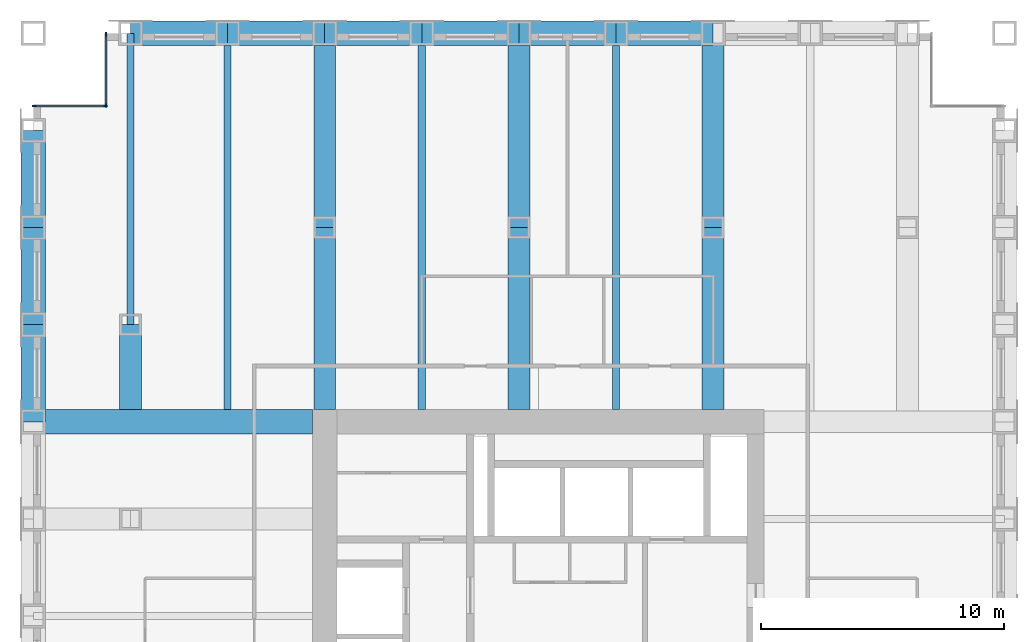
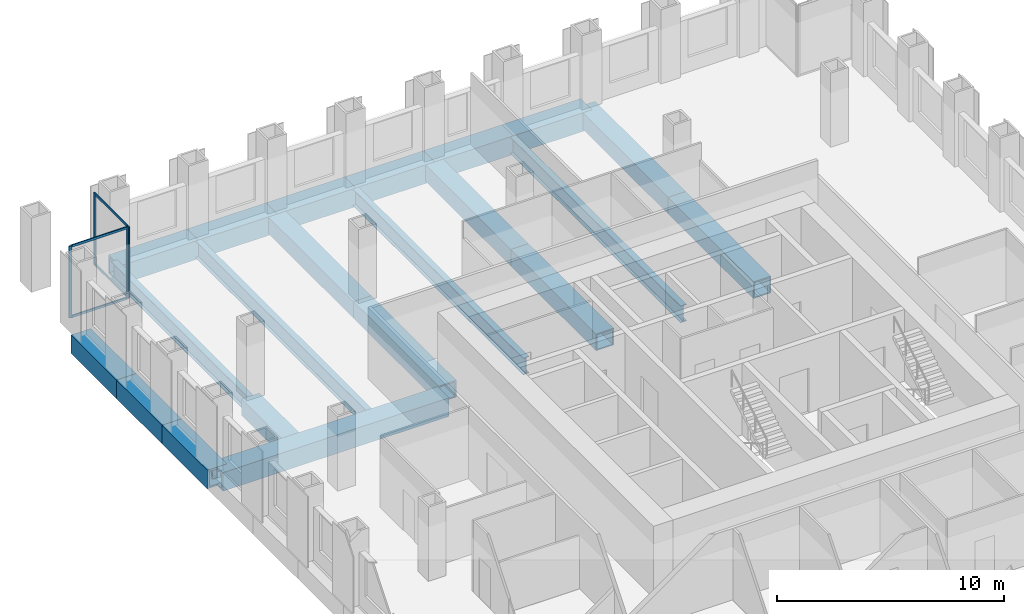
# One storey, part 5 of 12: 21 beams, 8 members, 2 elements without a shape of their own.
"""IFC4 building model written with IfcOpenShell, lengths in metres."""

from ifc_helpers import new_model, si_unit, direction, frame, origin, origin_2d, place, context, subcontext, project, spatial, rectangle, hollow_rectangle, i_section, extrude, material, material_profile, profile_set, type_object, element, aggregate, save


model = new_model("IFC4")

# Units and contexts
model_context = context("Model", 3, precision=1e-05, world=origin(), true_north=direction((0.0, 1.0)))
body_context = subcontext(model_context, "Body", "Model", "MODEL_VIEW")
ifc_project = project(units=[si_unit("LENGTHUNIT", "METRE"), si_unit("AREAUNIT", "SQUARE_METRE"), si_unit("VOLUMEUNIT", "CUBIC_METRE"), si_unit("PLANEANGLEUNIT", "RADIAN"), si_unit("MASSUNIT", "GRAM", prefix="KILO")], contexts=[model_context])

# Site, building, storey
site_placement = place(None, origin())
site = spatial("IfcSite", under=ifc_project, at=site_placement, CompositionType="ELEMENT")
building_placement = place(site_placement, origin())
building = spatial("IfcBuilding", under=site, at=building_placement, Name="Rimbunsela Tower", CompositionType="ELEMENT")
storey_placement = place(building_placement, frame((0.0, 0.0, 155.800048828125)))
storey = spatial("IfcBuildingStorey", under=building, at=storey_placement, Name="L37", CompositionType="ELEMENT", Elevation=155.800048828125)

# Beams
ifc_material_1 = material(Name="Steel BJ 55 (fy 410 MPa)", Category="steel")
ifc_material_profile_1 = material_profile(ifc_material_1, hollow_rectangle(XDim=1.0, YDim=1.0, WallThickness=0.10009765625, at=origin_2d()), Name="BOX 1000x1000x100")
ifc_profile_set_1 = profile_set([ifc_material_profile_1], Name="Steel BJ 55 (fy 410 MPa)")
beam_type_1 = type_object("IfcBeamType", Name="Beam BOX 1000x1000x100", PredefinedType="BEAM", material=ifc_profile_set_1)
beam_1_placement = place(storey_placement, frame((6.0, 36.0, -0.650146484375), z_axis=(0.0, 1.0, 0.0), x_axis=(-1.0, 0.0, 0.0)))
element("IfcBeam", 1, at=beam_1_placement, inside=storey, type_object=beam_type_1, Name="Beam B3 L37", PredefinedType="BEAM", context=body_context, shape_type="SweptSolid", body=[
    extrude(hollow_rectangle(XDim=1.0, YDim=1.0, WallThickness=0.10009765625, at=origin_2d()), origin(), (0.0, 0.0, 1.0), 4.0),
])
beam_2_placement = place(storey_placement, frame((6.0, 36.0, -0.650146484375), z_axis=(1.0, 0.0, 0.0), x_axis=(0.0, 1.0, 0.0)))
element("IfcBeam", 2, at=beam_2_placement, inside=storey, type_object=beam_type_1, Name="Beam B3 L37", PredefinedType="BEAM", context=body_context, shape_type="SweptSolid", body=[
    extrude(hollow_rectangle(XDim=1.0, YDim=1.0, WallThickness=0.10009765625, at=origin_2d()), origin(), (0.0, 0.0, 1.0), 11.5),
])
for number, where, z_axis, x_axis, name in (
    (3, (6.0, 40.0, -0.650146484375), (0.0, 1.0, 0.0), (-1.0, 0.0, 0.0), "Beam B3 L37"),
    (4, (6.0, 44.0, -0.650146484375), (0.0, 1.0, 0.0), (-1.0, 0.0, 0.0), "Beam B3 L37"),
    (5, (10.0, 52.0, -0.650146484375), (1.0, 0.0, 0.0), (0.0, 1.0, 0.0), "Beam B3 L37"),
    (6, (14.0, 52.0, -0.650146484375), (1.0, 0.0, 0.0), (0.0, 1.0, 0.0), "Beam B3 L37"),
    (7, (18.0, 52.0, -0.650146484375), (1.0, 0.0, 0.0), (0.0, 1.0, 0.0), "Beam B3 L37"),
    (8, (22.0, 52.0, -0.650146484375), (1.0, 0.0, 0.0), (0.0, 1.0, 0.0), "Beam B3 L37"),
    (9, (26.0, 52.0, -0.650146484375), (1.0, 0.0, 0.0), (0.0, 1.0, 0.0), "Beam B3 L37"),
    (10, (30.0, 52.0, -0.650146484375), (1.0, 0.0, 0.0), (0.0, 1.0, 0.0), "Beam B3 L37"),
):
    element("IfcBeam", number, at=place(storey_placement, frame(where, z_axis=z_axis, x_axis=x_axis)), inside=storey, type_object=beam_type_1, Name=name, PredefinedType="BEAM", context=body_context, shape_type="SweptSolid", body=[
        extrude(hollow_rectangle(XDim=1.0, YDim=1.0, WallThickness=0.10009765625, at=origin_2d()), origin(), (0.0, 0.0, 1.0), 4.0),
    ])
ifc_material_2 = material(Name="Steel BJ 55 (fy 410 MPa)", Category="steel")
ifc_material_profile_2 = material_profile(ifc_material_2, hollow_rectangle(XDim=0.89990234375, YDim=0.89990234375, WallThickness=0.06005859375, at=origin_2d()), Name="BOX 900x900x60")
ifc_profile_set_2 = profile_set([ifc_material_profile_2], Name="Steel BJ 55 (fy 410 MPa)")
beam_type_2 = type_object("IfcBeamType", Name="Beam BOX 900x900x60", PredefinedType="BEAM", material=ifc_profile_set_2)
beam_3_placement = place(storey_placement, frame((10.0, 36.5, -0.60009765625), z_axis=(0.0, 1.0, 0.0), x_axis=(-1.0, 0.0, 0.0)))
element("IfcBeam", 11, at=beam_3_placement, inside=storey, type_object=beam_type_2, Name="Beam B1 L37", PredefinedType="BEAM", context=body_context, shape_type="SweptSolid", body=[
    extrude(hollow_rectangle(XDim=0.89990234375, YDim=0.89990234375, WallThickness=0.06005859375, at=origin_2d()), origin(), (0.0, 0.0, 1.0), 3.5),
])
beam_4_placement = place(storey_placement, frame((18.0, 36.5, -0.60009765625), z_axis=(0.0, 1.0, 0.0), x_axis=(-1.0, 0.0, 0.0)))
element("IfcBeam", 12, at=beam_4_placement, inside=storey, type_object=beam_type_2, Name="Beam B1 L37", PredefinedType="BEAM", context=body_context, shape_type="SweptSolid", body=[
    extrude(hollow_rectangle(XDim=0.89990234375, YDim=0.89990234375, WallThickness=0.06005859375, at=origin_2d()), origin(), (0.0, 0.0, 1.0), 7.5),
])
beam_5_placement = place(storey_placement, frame((18.0, 44.0, -0.60009765625), z_axis=(0.0, 1.0, 0.0), x_axis=(-1.0, 0.0, 0.0)))
element("IfcBeam", 13, at=beam_5_placement, inside=storey, type_object=beam_type_2, Name="Beam B1 L37", PredefinedType="BEAM", context=body_context, shape_type="SweptSolid", body=[
    extrude(hollow_rectangle(XDim=0.89990234375, YDim=0.89990234375, WallThickness=0.06005859375, at=origin_2d()), origin(), (0.0, 0.0, 1.0), 8.0),
])
beam_6_placement = place(storey_placement, frame((26.0, 36.5, -0.60009765625), z_axis=(0.0, 1.0, 0.0), x_axis=(-1.0, 0.0, 0.0)))
element("IfcBeam", 14, at=beam_6_placement, inside=storey, type_object=beam_type_2, Name="Beam B1 L37", PredefinedType="BEAM", context=body_context, shape_type="SweptSolid", body=[
    extrude(hollow_rectangle(XDim=0.89990234375, YDim=0.89990234375, WallThickness=0.06005859375, at=origin_2d()), origin(), (0.0, 0.0, 1.0), 7.5),
])
beam_7_placement = place(storey_placement, frame((26.0, 44.0, -0.60009765625), z_axis=(0.0, 1.0, 0.0), x_axis=(-1.0, 0.0, 0.0)))
element("IfcBeam", 15, at=beam_7_placement, inside=storey, type_object=beam_type_2, Name="Beam B1 L37", PredefinedType="BEAM", context=body_context, shape_type="SweptSolid", body=[
    extrude(hollow_rectangle(XDim=0.89990234375, YDim=0.89990234375, WallThickness=0.06005859375, at=origin_2d()), origin(), (0.0, 0.0, 1.0), 8.0),
])
beam_8_placement = place(storey_placement, frame((34.0, 36.5, -0.60009765625), z_axis=(0.0, 1.0, 0.0), x_axis=(-1.0, 0.0, 0.0)))
element("IfcBeam", 16, at=beam_8_placement, inside=storey, type_object=beam_type_2, Name="Beam B1 L37", PredefinedType="BEAM", context=body_context, shape_type="SweptSolid", body=[
    extrude(hollow_rectangle(XDim=0.89990234375, YDim=0.89990234375, WallThickness=0.06005859375, at=origin_2d()), origin(), (0.0, 0.0, 1.0), 7.5),
])
beam_9_placement = place(storey_placement, frame((34.0, 44.0, -0.60009765625), z_axis=(0.0, 1.0, 0.0), x_axis=(-1.0, 0.0, 0.0)))
element("IfcBeam", 17, at=beam_9_placement, inside=storey, type_object=beam_type_2, Name="Beam B1 L37", PredefinedType="BEAM", context=body_context, shape_type="SweptSolid", body=[
    extrude(hollow_rectangle(XDim=0.89990234375, YDim=0.89990234375, WallThickness=0.06005859375, at=origin_2d()), origin(), (0.0, 0.0, 1.0), 8.0),
])
ifc_material_3 = material(Name="Steel BJ 55 (fy 410 MPa)", Category="steel")
ifc_material_profile_3 = material_profile(ifc_material_3, i_section(OverallWidth=0.300048828125, OverallDepth=0.89990234375, WebThickness=0.01611328125, FlangeThickness=0.028076171875, FilletRadius=0.028076171875, at=origin_2d()), Name="H 900x300x16x28")
ifc_profile_set_3 = profile_set([ifc_material_profile_3], Name="Steel BJ 55 (fy 410 MPa)")
beam_type_3 = type_object("IfcBeamType", Name="Beam H 900x300x16x28", PredefinedType="BEAM", material=ifc_profile_set_3)
beam_10_placement = place(storey_placement, frame((10.0, 40.0, -0.60009765625), z_axis=(0.0, 1.0, 0.0), x_axis=(-1.0, 0.0, 0.0)))
element("IfcBeam", 18, at=beam_10_placement, inside=storey, type_object=beam_type_3, Name="Beam B2 L37", PredefinedType="BEAM", context=body_context, shape_type="SweptSolid", body=[
    extrude(i_section(OverallWidth=0.300048828125, OverallDepth=0.89990234375, WebThickness=0.01611328125, FlangeThickness=0.028076171875, FilletRadius=0.028076171875, at=origin_2d()), origin(), (0.0, 0.0, 1.0), 12.0),
])
for number, where, z_axis, x_axis, name in (
    (19, (14.0, 36.5, -0.60009765625), (0.0, 1.0, 0.0), (-1.0, 0.0, 0.0), "Beam B2 L37"),
    (20, (22.0, 36.5, -0.60009765625), (0.0, 1.0, 0.0), (-1.0, 0.0, 0.0), "Beam B2 L37"),
    (21, (30.0, 36.5, -0.60009765625), (0.0, 1.0, 0.0), (-1.0, 0.0, 0.0), "Beam B2 L37"),
):
    element("IfcBeam", number, at=place(storey_placement, frame(where, z_axis=z_axis, x_axis=x_axis)), inside=storey, type_object=beam_type_3, Name=name, PredefinedType="BEAM", context=body_context, shape_type="SweptSolid", body=[
        extrude(i_section(OverallWidth=0.300048828125, OverallDepth=0.89990234375, WebThickness=0.01611328125, FlangeThickness=0.028076171875, FilletRadius=0.028076171875, at=origin_2d()), origin(), (0.0, 0.0, 1.0), 15.5),
    ])

# Curtain wall, members
ifc_material_4 = material(Name="Aluminium curtain wall", Category="aluminium")
curtain_wall_type = type_object("IfcCurtainWallType", Name="Corner glazing", PredefinedType="USERDEFINED", material=ifc_material_4)
curtain_wall_1_placement = place(storey_placement, origin())
curtain_wall_1 = element("IfcCurtainWall", 22, at=curtain_wall_1_placement, inside=storey, type_object=curtain_wall_type, Name="Corner glazing L37", ObjectType="CORNER GLAZING", PredefinedType="USERDEFINED")
ifc_material_5 = material(Name="Aluminium mullion", Category="aluminium")
ifc_material_profile_4 = material_profile(ifc_material_5, rectangle(XDim=0.06005859375, YDim=0.159912109375, at=origin_2d()), Name="Mullion 60x160")
ifc_profile_set_4 = profile_set([ifc_material_profile_4], Name="Aluminium mullion")
member_type_1 = type_object("IfcMemberType", Name="Curtain wall mullion 60x160", PredefinedType="MULLION", material=ifc_profile_set_4)
member_1_placement = place(storey_placement, frame((9.0, 51.969970703125, 0.0), z_axis=(0.0, 0.0, 1.0), x_axis=(1.0, 0.0, 0.0)))
member_1 = element("IfcMember", 23, at=member_1_placement, type_object=member_type_1, Name="CW5 mullion 1", PredefinedType="MULLION", context=body_context, shape_type="SweptSolid", body=[
    extrude(rectangle(XDim=0.06005859375, YDim=0.159912109375, at=origin_2d()), origin(), (0.0, 0.0, 1.0), 3.849853515625),
])
member_2_placement = place(storey_placement, frame((9.0, 49.030029296875, 0.0), z_axis=(0.0, 0.0, 1.0), x_axis=(1.0, 0.0, 0.0)))
member_2 = element("IfcMember", 24, at=member_2_placement, type_object=member_type_1, Name="CW5 mullion 2", PredefinedType="MULLION", context=body_context, shape_type="SweptSolid", body=[
    extrude(rectangle(XDim=0.06005859375, YDim=0.159912109375, at=origin_2d()), origin(), (0.0, 0.0, 1.0), 3.849853515625),
])

curtain_wall_2_placement = place(storey_placement, origin())
curtain_wall_2 = element("IfcCurtainWall", 25, at=curtain_wall_2_placement, inside=storey, type_object=curtain_wall_type, Name="Corner glazing L37", ObjectType="CORNER GLAZING", PredefinedType="USERDEFINED")
member_3_placement = place(storey_placement, frame((8.969970703125, 49.0, 0.0), z_axis=(0.0, 0.0, 1.0), x_axis=(0.0, -1.0, 0.0)))
member_3 = element("IfcMember", 26, at=member_3_placement, type_object=member_type_1, Name="CW5 mullion 1", PredefinedType="MULLION", context=body_context, shape_type="SweptSolid", body=[
    extrude(rectangle(XDim=0.06005859375, YDim=0.159912109375, at=origin_2d()), origin(), (0.0, 0.0, 1.0), 3.849853515625),
])
member_4_placement = place(storey_placement, frame((6.030029296875, 49.0, 0.0), z_axis=(0.0, 0.0, 1.0), x_axis=(0.0, -1.0, 0.0)))
member_4 = element("IfcMember", 27, at=member_4_placement, type_object=member_type_1, Name="CW5 mullion 2", PredefinedType="MULLION", context=body_context, shape_type="SweptSolid", body=[
    extrude(rectangle(XDim=0.06005859375, YDim=0.159912109375, at=origin_2d()), origin(), (0.0, 0.0, 1.0), 3.849853515625),
])

# Member
ifc_material_6 = material(Name="Aluminium transom", Category="aluminium")
ifc_material_profile_5 = material_profile(ifc_material_6, rectangle(XDim=0.06005859375, YDim=0.1201171875, at=origin_2d()), Name="Transom 60x120")
ifc_profile_set_5 = profile_set([ifc_material_profile_5], Name="Aluminium transom")
member_type_2 = type_object("IfcMemberType", Name="Curtain wall transom 60x120", PredefinedType="USERDEFINED", material=ifc_profile_set_5)
member_5_placement = place(storey_placement, frame((9.0, 51.93994140625, 0.030029296875), z_axis=(0.0, -1.0, 0.0), x_axis=(1.0, 0.0, 0.0)))
member_5 = element("IfcMember", 28, at=member_5_placement, type_object=member_type_2, Name="CW5 transom 1.1", ObjectType="TRANSOM", PredefinedType="USERDEFINED", context=body_context, shape_type="SweptSolid", body=[
    extrude(rectangle(XDim=0.06005859375, YDim=0.1201171875, at=origin_2d()), origin(), (0.0, 0.0, 1.0), 2.8798828125),
])

member_6_placement = place(storey_placement, frame((9.0, 51.93994140625, 3.820068359375), z_axis=(0.0, -1.0, 0.0), x_axis=(1.0, 0.0, 0.0)))
member_6 = element("IfcMember", 29, at=member_6_placement, type_object=member_type_2, Name="CW5 transom 1.2", ObjectType="TRANSOM", PredefinedType="USERDEFINED", context=body_context, shape_type="SweptSolid", body=[
    extrude(rectangle(XDim=0.06005859375, YDim=0.1201171875, at=origin_2d()), origin(), (0.0, 0.0, 1.0), 2.8798828125),
])

aggregate(curtain_wall_1, [member_1, member_2, member_5, member_6])

member_7_placement = place(storey_placement, frame((8.93994140625, 49.0, 0.030029296875), z_axis=(-1.0, 0.0, 0.0), x_axis=(0.0, -1.0, 0.0)))
member_7 = element("IfcMember", 30, at=member_7_placement, type_object=member_type_2, Name="CW5 transom 1.1", ObjectType="TRANSOM", PredefinedType="USERDEFINED", context=body_context, shape_type="SweptSolid", body=[
    extrude(rectangle(XDim=0.06005859375, YDim=0.1201171875, at=origin_2d()), origin(), (0.0, 0.0, 1.0), 2.8798828125),
])

member_8_placement = place(storey_placement, frame((8.93994140625, 49.0, 3.820068359375), z_axis=(-1.0, 0.0, 0.0), x_axis=(0.0, -1.0, 0.0)))
member_8 = element("IfcMember", 31, at=member_8_placement, type_object=member_type_2, Name="CW5 transom 1.2", ObjectType="TRANSOM", PredefinedType="USERDEFINED", context=body_context, shape_type="SweptSolid", body=[
    extrude(rectangle(XDim=0.06005859375, YDim=0.1201171875, at=origin_2d()), origin(), (0.0, 0.0, 1.0), 2.8798828125),
])

aggregate(curtain_wall_2, [member_3, member_4, member_7, member_8])

save(model, "model.ifc")
